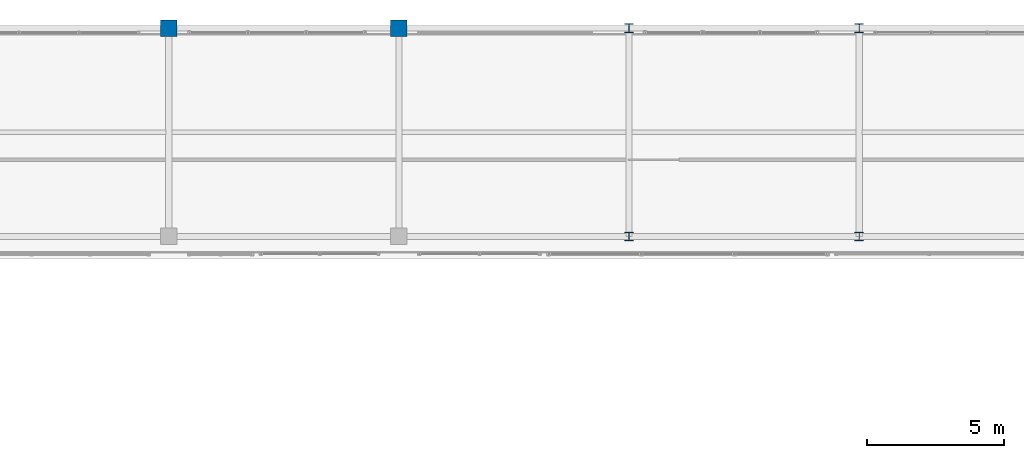
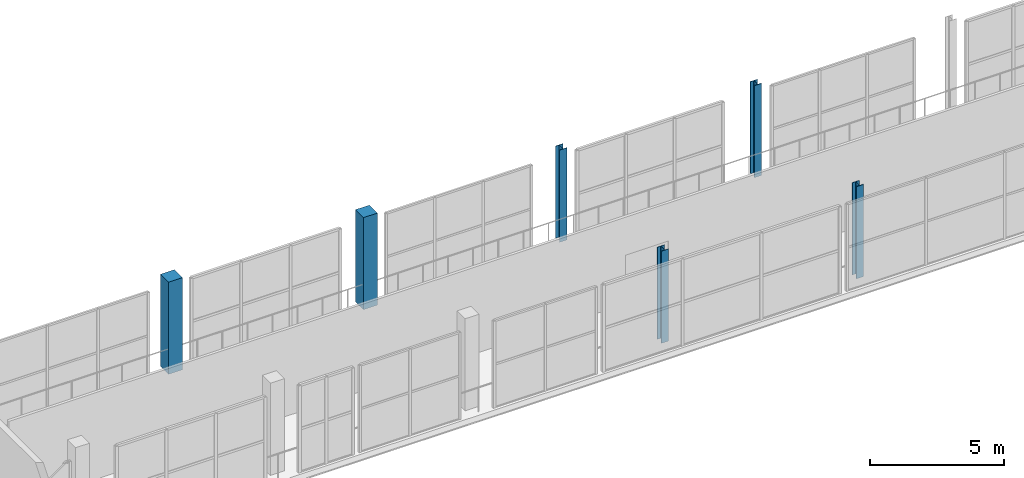
# One storey, part 9 of 151: 6 columns.
"""IFC4 building model written with IfcOpenShell, lengths in metres."""

from ifc_helpers import new_model, si_unit, direction, frame, origin, origin_2d, place, context, subcontext, project, spatial, rectangle, i_section, extrude, material, material_profile, profile_set, type_object, element, save


model = new_model("IFC4")

# Units and contexts
model_context = context("Model", 3, precision=1e-05, world=origin(), true_north=direction((0.0, 1.0)))
body_context = subcontext(model_context, "Body", "Model", "MODEL_VIEW")
ifc_project = project(units=[si_unit("LENGTHUNIT", "METRE"), si_unit("AREAUNIT", "SQUARE_METRE"), si_unit("VOLUMEUNIT", "CUBIC_METRE"), si_unit("PLANEANGLEUNIT", "RADIAN"), si_unit("MASSUNIT", "GRAM", prefix="KILO")], contexts=[model_context])

# Site, building, storey
site_placement = place(None, origin())
site = spatial("IfcSite", under=ifc_project, at=site_placement, CompositionType="ELEMENT")
building_placement = place(site_placement, origin())
building = spatial("IfcBuilding", under=site, at=building_placement, Name="Zuvorla Pavilion Media Centre", CompositionType="ELEMENT")
storey_placement = place(building_placement, frame((0.0, 0.0, 13.800048828125)))
storey = spatial("IfcBuildingStorey", under=building, at=storey_placement, Name="L03", CompositionType="ELEMENT", Elevation=13.800048828125)

# Columns
ifc_material_1 = material(Name="Concrete C40/50", Category="concrete")
ifc_material_profile_1 = material_profile(ifc_material_1, rectangle(XDim=0.60009765625, YDim=0.60009765625, at=origin_2d()), Name="RC 600x600")
ifc_profile_set_1 = profile_set([ifc_material_profile_1], Name="Concrete C40/50")
column_type_1 = type_object("IfcColumnType", Name="COL-RC600", PredefinedType="COLUMN", material=ifc_profile_set_1)
for number, where, z_axis, x_axis, name in (
    (1, (108.800048828125, 89.60009765625, 0.0), (0.0, 0.0, 1.0), (1.0, 0.0, 0.0), "L03 column C03 893"),
    (2, (117.199951171875, 89.60009765625, 0.0), (0.0, 0.0, 1.0), (1.0, 0.0, 0.0), "L03 column C03 898"),
):
    element("IfcColumn", number, at=place(storey_placement, frame(where, z_axis=z_axis, x_axis=x_axis)), inside=storey, type_object=column_type_1, Name=name, PredefinedType="COLUMN", context=body_context, shape_type="SweptSolid", body=[
        extrude(rectangle(XDim=0.60009765625, YDim=0.60009765625, at=origin_2d()), origin(), (0.0, 0.0, 1.0), 4.199951171875),
    ])
ifc_material_2 = material(Name="Steel S355", Category="steel")
ifc_material_profile_2 = material_profile(ifc_material_2, i_section(OverallWidth=0.30908203125, OverallDepth=0.320556640625, WebThickness=0.013916015625, FlangeThickness=0.021728515625, FilletRadius=0.01513671875, at=origin_2d()), Name="UC 305x305x137")
ifc_profile_set_2 = profile_set([ifc_material_profile_2], Name="Steel S355")
column_type_2 = type_object("IfcColumnType", Name="COL-UC305", PredefinedType="COLUMN", material=ifc_profile_set_2)
for number, where, z_axis, x_axis, name in (
    (3, (125.60009765625, 82.0, 0.0), (0.0, 0.0, 1.0), (1.0, 0.0, 0.0), "L03 column C10 811"),
    (4, (134.0, 82.0, 0.0), (0.0, 0.0, 1.0), (1.0, 0.0, 0.0), "L03 column C10 816"),
    (5, (125.60009765625, 89.60009765625, 0.0), (0.0, 0.0, 1.0), (1.0, 0.0, 0.0), "L03 column C10 903"),
    (6, (134.0, 89.60009765625, 0.0), (0.0, 0.0, 1.0), (1.0, 0.0, 0.0), "L03 column C10 908"),
):
    element("IfcColumn", number, at=place(storey_placement, frame(where, z_axis=z_axis, x_axis=x_axis)), inside=storey, type_object=column_type_2, Name=name, PredefinedType="COLUMN", context=body_context, shape_type="SweptSolid", body=[
        extrude(i_section(OverallWidth=0.30908203125, OverallDepth=0.320556640625, WebThickness=0.013916015625, FlangeThickness=0.021728515625, FilletRadius=0.01513671875, at=origin_2d()), origin(), (0.0, 0.0, 1.0), 4.199951171875),
    ])

save(model, "model.ifc")
